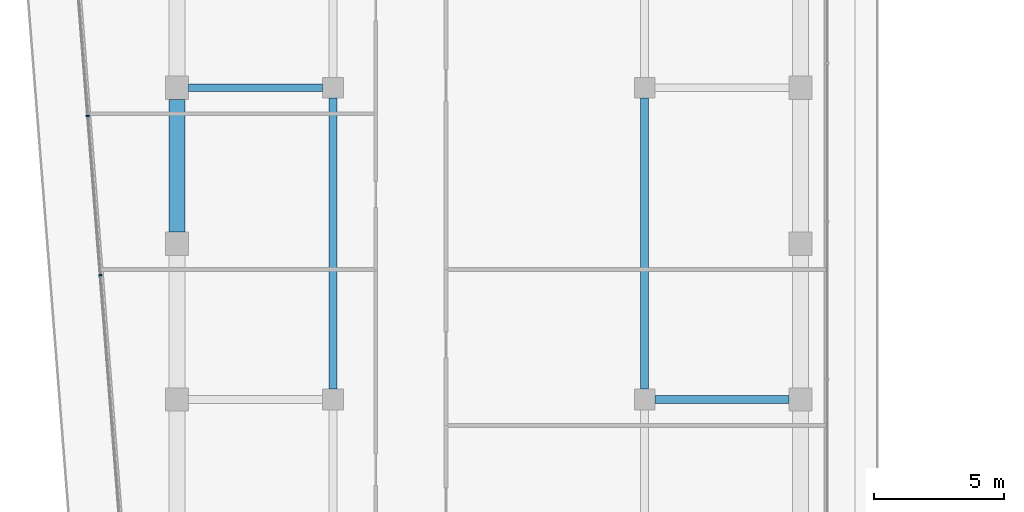
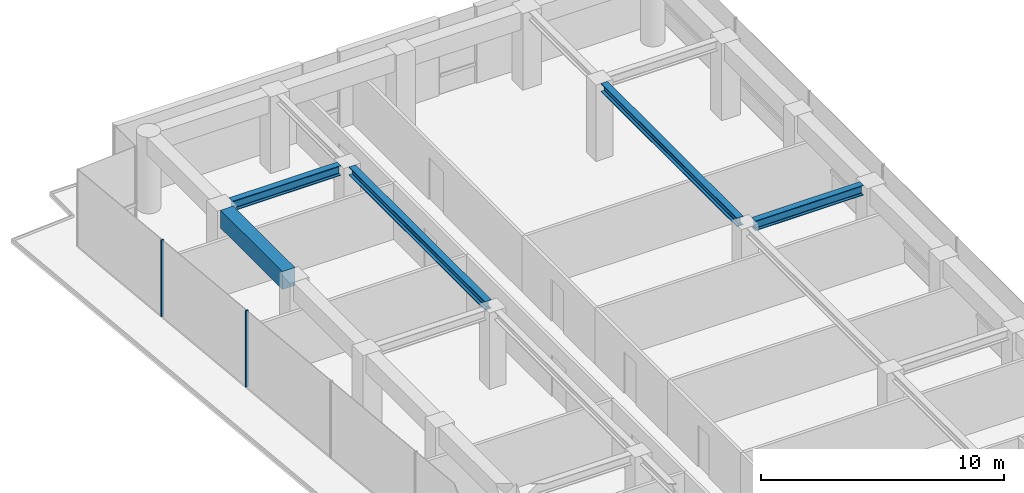
# One storey, part 14 of 25: 5 beams, 2 members, 1 element without a shape of its own.
"""IFC4 building model written with IfcOpenShell, lengths in metres."""

from ifc_helpers import new_model, si_unit, direction, frame, origin, origin_2d, place, context, subcontext, project, spatial, rectangle, i_section, extrude, material, layer, layer_set, material_profile, profile_set, type_object, element, aggregate, save


model = new_model("IFC4")

# Units and contexts
model_context = context("Model", 3, precision=1e-05, world=origin(), true_north=direction((0.0, 1.0)))
body_context = subcontext(model_context, "Body", "Model", "MODEL_VIEW")
ifc_project = project(units=[si_unit("LENGTHUNIT", "METRE"), si_unit("AREAUNIT", "SQUARE_METRE"), si_unit("VOLUMEUNIT", "CUBIC_METRE"), si_unit("PLANEANGLEUNIT", "RADIAN"), si_unit("MASSUNIT", "GRAM", prefix="KILO")], contexts=[model_context])

# Site, building, storey
site_placement = place(None, origin())
site = spatial("IfcSite", under=ifc_project, at=site_placement, CompositionType="ELEMENT")
building_placement = place(site_placement, origin())
building = spatial("IfcBuilding", under=site, at=building_placement, Name="Welwitschia Terrace Campus", CompositionType="ELEMENT")
storey_placement = place(building_placement, frame((0.0, 0.0, 92.0)))
storey = spatial("IfcBuildingStorey", under=building, at=storey_placement, Name="L20", CompositionType="ELEMENT", Elevation=92.0)

# Beams
ifc_material_1 = material(Name="Steel S355", Category="steel")
ifc_material_profile_1 = material_profile(ifc_material_1, i_section(OverallWidth=0.306884765625, OverallDepth=0.431884765625, WebThickness=0.02099609375, FlangeThickness=0.0400390625, FilletRadius=0.027099609375, at=origin_2d()))
ifc_profile_set_1 = profile_set([ifc_material_profile_1], Name="Steel S355")
beam_type_1 = type_object("IfcBeamType", Name="Interior girder HE 400 M", PredefinedType="BEAM", material=ifc_profile_set_1)
for number, where, z_axis, x_axis, name in (
    (1, (6.0, 52.400390625, 3.634033203125), (0.0, 1.0, 0.0), (-1.0, 0.0, 0.0), "Girder GB3"),
    (2, (18.0, 52.400390625, 3.634033203125), (0.0, 1.0, 0.0), (-1.0, 0.0, 0.0), "Girder GB3"),
):
    element("IfcBeam", number, at=place(storey_placement, frame(where, z_axis=z_axis, x_axis=x_axis)), inside=storey, type_object=beam_type_1, Name=name, PredefinedType="BEAM", context=body_context, shape_type="SweptSolid", body=[
        extrude(i_section(OverallWidth=0.306884765625, OverallDepth=0.431884765625, WebThickness=0.02099609375, FlangeThickness=0.0400390625, FilletRadius=0.027099609375, at=origin_2d()), origin(), (0.0, 0.0, 1.0), 11.19921875),
    ])

# Curtain wall, members
ifc_material_2 = material(Name="Bronze anodised aluminium", Category="aluminium")
ifc_layer = layer(ifc_material_2, 0.1201171875)
ifc_layer_set = layer_set([ifc_layer], Name="Bronze anodised aluminium")
curtain_wall_type = type_object("IfcCurtainWallType", Name="Curtain wall CW2 tower 6000", PredefinedType="NOTDEFINED", material=ifc_layer_set)
curtain_wall_placement = place(storey_placement, origin())
curtain_wall = element("IfcCurtainWall", 3, at=curtain_wall_placement, inside=storey, type_object=curtain_wall_type, Name="CW L20.0.0", PredefinedType="NOTDEFINED")
ifc_material_3 = material(Name="Bronze anodised aluminium", Category="aluminium")
ifc_material_profile_2 = material_profile(ifc_material_3, rectangle(XDim=0.1201171875, YDim=0.06005859375, at=origin_2d()))
ifc_profile_set_2 = profile_set([ifc_material_profile_2], Name="Bronze anodised aluminium")
member_type = type_object("IfcMemberType", Name="Mullion 60x120", PredefinedType="MULLION", material=ifc_profile_set_2)
member_1_placement = place(storey_placement, frame((-3.44384765625, 62.9189453125, 0.0), z_axis=(0.0, 0.0, 1.0), x_axis=(0.996917333733, 0.078459095728, 0.0)))
member_1 = element("IfcMember", 4, at=member_1_placement, type_object=member_type, Name="Mullion L20.0.0.1", PredefinedType="MULLION", context=body_context, shape_type="SweptSolid", body=[
    extrude(rectangle(XDim=0.1201171875, YDim=0.06005859375, at=origin_2d()), origin(), (0.0, 0.0, 1.0), 3.85009765625),
])
member_2_placement = place(storey_placement, frame((-2.9609375, 56.784912109375, 0.0), z_axis=(0.0, 0.0, 1.0), x_axis=(0.996917333733, 0.078459095728, 0.0)))
member_2 = element("IfcMember", 5, at=member_2_placement, type_object=member_type, Name="Mullion L20.0.0.2", PredefinedType="MULLION", context=body_context, shape_type="SweptSolid", body=[
    extrude(rectangle(XDim=0.1201171875, YDim=0.06005859375, at=origin_2d()), origin(), (0.0, 0.0, 1.0), 3.85009765625),
])
aggregate(curtain_wall, [member_1, member_2])

# Beams
ifc_material_4 = material(Name="Steel S355", Category="steel")
ifc_material_profile_3 = material_profile(ifc_material_4, i_section(OverallWidth=0.300048828125, OverallDepth=0.5, WebThickness=0.014404296875, FlangeThickness=0.028076171875, FilletRadius=0.027099609375, at=origin_2d()))
ifc_profile_set_3 = profile_set([ifc_material_profile_3], Name="Steel S355")
beam_type_2 = type_object("IfcBeamType", Name="Primary beam HE 500 B", PredefinedType="BEAM", material=ifc_profile_set_3)
for number, where, z_axis, x_axis, name in (
    (6, (23.549560546875, 52.0, 3.60009765625), (-1.0, 0.0, 0.0), (0.0, -1.0, 0.0), "Primary beam PB3"),
    (7, (0.450439453125, 64.0, 3.60009765625), (1.0, 0.0, 0.0), (0.0, 1.0, 0.0), "Primary beam PB3"),
):
    element("IfcBeam", number, at=place(storey_placement, frame(where, z_axis=z_axis, x_axis=x_axis)), inside=storey, type_object=beam_type_2, Name=name, PredefinedType="BEAM", context=body_context, shape_type="SweptSolid", body=[
        extrude(i_section(OverallWidth=0.300048828125, OverallDepth=0.5, WebThickness=0.014404296875, FlangeThickness=0.028076171875, FilletRadius=0.027099609375, at=origin_2d()), origin(), (0.0, 0.0, 1.0), 5.149169921875),
    ])
ifc_material_5 = material(Name="Concrete C60/75", Category="concrete")
ifc_material_profile_4 = material_profile(ifc_material_5, rectangle(XDim=0.60009765625, YDim=0.89990234375, at=origin_2d()))
ifc_profile_set_4 = profile_set([ifc_material_profile_4], Name="Concrete C60/75")
beam_type_3 = type_object("IfcBeamType", Name="Ring spandrel 600x900", PredefinedType="SPANDREL", material=ifc_profile_set_4)
beam_placement = place(storey_placement, frame((0.0, 63.549560546875, 3.39990234375), z_axis=(0.0, -1.0, 0.0), x_axis=(1.0, 0.0, 0.0)))
element("IfcBeam", 8, at=beam_placement, inside=storey, type_object=beam_type_3, Name="Spandrel SP2", PredefinedType="SPANDREL", context=body_context, shape_type="SweptSolid", body=[
    extrude(rectangle(XDim=0.60009765625, YDim=0.89990234375, at=origin_2d()), origin(), (0.0, 0.0, 1.0), 5.09912109375),
])

save(model, "model.ifc")
